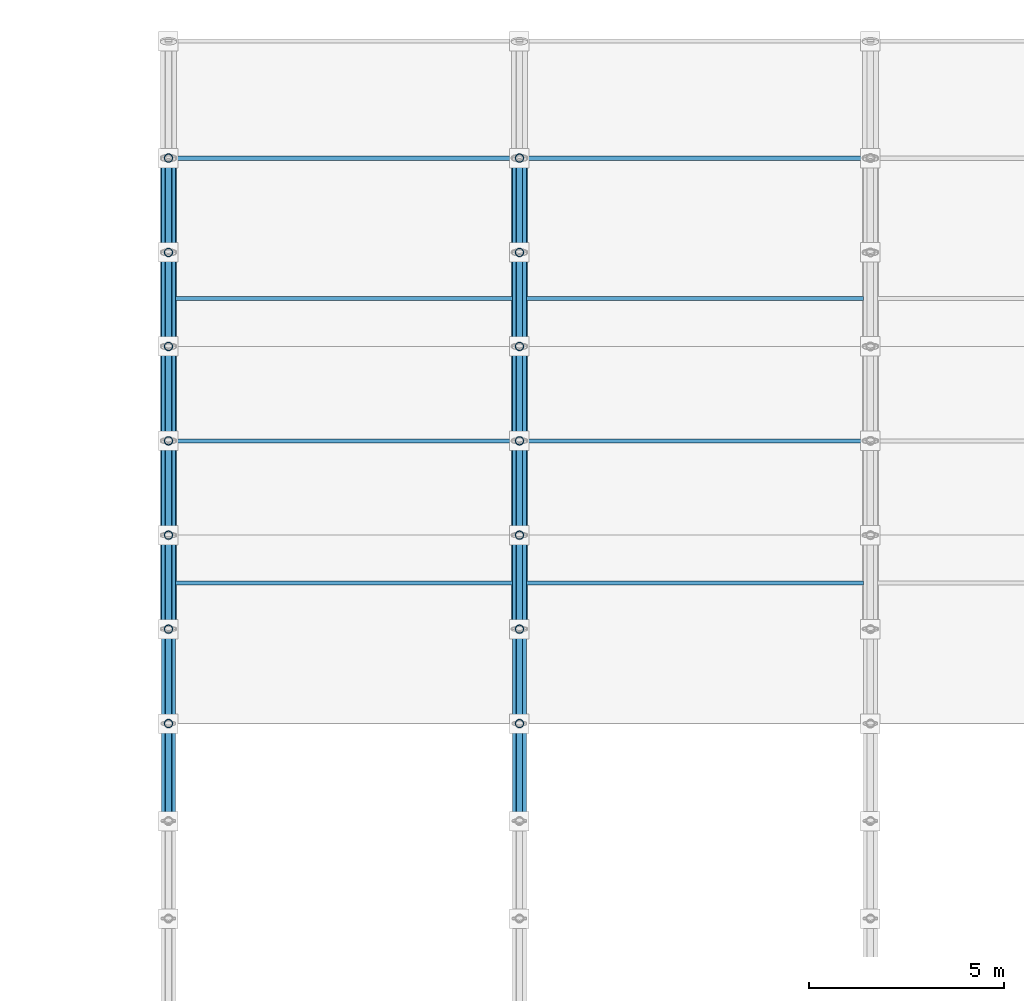
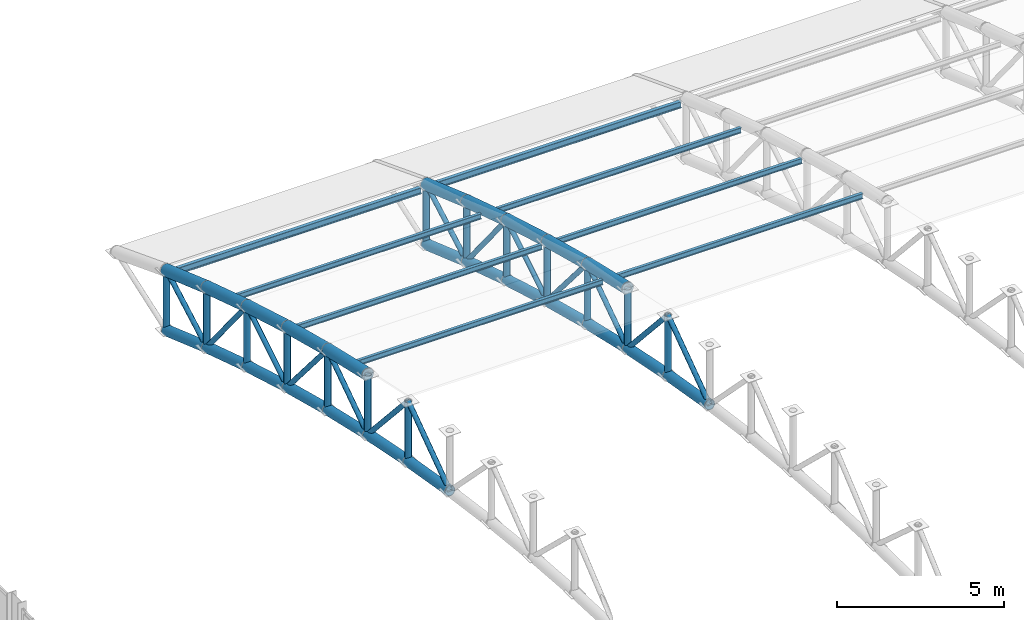
# One storey, part 80 of 195: 60 members.
"""IFC4 building model written with IfcOpenShell, lengths in metres."""

from ifc_helpers import new_model, si_unit, direction, frame, origin, origin_2d, place, context, subcontext, project, spatial, hollow_circle, i_section, extrude, material, material_profile, profile_set, type_object, element, save


model = new_model("IFC4")

# Units and contexts
model_context = context("Model", 3, precision=1e-05, world=origin(), true_north=direction((0.0, 1.0)))
body_context = subcontext(model_context, "Body", "Model", "MODEL_VIEW")
ifc_project = project(units=[si_unit("LENGTHUNIT", "METRE"), si_unit("AREAUNIT", "SQUARE_METRE"), si_unit("VOLUMEUNIT", "CUBIC_METRE"), si_unit("PLANEANGLEUNIT", "RADIAN"), si_unit("MASSUNIT", "GRAM", prefix="KILO")], contexts=[model_context])

# Site, building, storey
site_placement = place(None, origin())
site = spatial("IfcSite", under=ifc_project, at=site_placement, CompositionType="ELEMENT")
building_placement = place(site_placement, origin())
building = spatial("IfcBuilding", under=site, at=building_placement, Name="Marlcrest Central Station", CompositionType="ELEMENT")
storey_placement = place(building_placement, frame((0.0, 0.0, 9.800048828125)))
storey = spatial("IfcBuildingStorey", under=building, at=storey_placement, Name="L02", CompositionType="ELEMENT", Elevation=9.800048828125)

# Members
ifc_material = material(Name="Steel S355", Category="steel")
ifc_material_profile_1 = material_profile(ifc_material, hollow_circle(Radius=0.203125, WallThickness=0.02001953125, at=origin_2d()), Name="CHS 406.4x20")
ifc_profile_set_1 = profile_set([ifc_material_profile_1], Name="Steel S355")
member_type_1 = type_object("IfcMemberType", Name="AC-01", PredefinedType="CHORD", material=ifc_profile_set_1)
member_1_placement = place(storey_placement, frame((144.0, 83.419921875, 5.116943359375), z_axis=(0.0, 0.974329612642, -0.225126200004), x_axis=(-1.0, 0.0, 0.0)))
element("IfcMember", 1, at=member_1_placement, inside=storey, type_object=member_type_1, Name="mem-AC-01-L02-01168", PredefinedType="CHORD", context=body_context, shape_type="SweptSolid", body=[
    extrude(hollow_circle(Radius=0.203125, WallThickness=0.02001953125, at=origin_2d()), origin(), (0.0, 0.0, 1.0), 2.4736328125),
])
member_2_placement = place(storey_placement, frame((144.0, 85.830078125, 4.56005859375), z_axis=(0.0, 0.967539481681, -0.252719906989), x_axis=(-1.0, 0.0, 0.0)))
element("IfcMember", 2, at=member_2_placement, inside=storey, type_object=member_type_1, Name="mem-AC-01-L02-01172", PredefinedType="CHORD", context=body_context, shape_type="SweptSolid", body=[
    extrude(hollow_circle(Radius=0.203125, WallThickness=0.02001953125, at=origin_2d()), origin(), (0.0, 0.0, 1.0), 2.501220703125),
])
member_3_placement = place(storey_placement, frame((144.0, 88.25, 3.927978515625), z_axis=(0.0, 0.960130083362, -0.27955361386), x_axis=(-1.0, 0.0, 0.0)))
element("IfcMember", 3, at=member_3_placement, inside=storey, type_object=member_type_1, Name="mem-AC-01-L02-01176", PredefinedType="CHORD", context=body_context, shape_type="SweptSolid", body=[
    extrude(hollow_circle(Radius=0.203125, WallThickness=0.02001953125, at=origin_2d()), origin(), (0.0, 0.0, 1.0), 2.5205078125),
])
member_4_placement = place(storey_placement, frame((144.0, 90.669921875, 3.223388671875), z_axis=(0.0, 0.952116828449, -0.305734435391), x_axis=(-1.0, 0.0, 0.0)))
element("IfcMember", 4, at=member_4_placement, inside=storey, type_object=member_type_1, Name="mem-AC-01-L02-01180", PredefinedType="CHORD", context=body_context, shape_type="SweptSolid", body=[
    extrude(hollow_circle(Radius=0.203125, WallThickness=0.02001953125, at=origin_2d()), origin(), (0.0, 0.0, 1.0), 2.53125),
])
member_5_placement = place(storey_placement, frame((144.0, 93.080078125, 2.449462890625), z_axis=(0.0, 0.94353735649, -0.331266142109), x_axis=(-1.0, 0.0, 0.0)))
element("IfcMember", 5, at=member_5_placement, inside=storey, type_object=member_type_1, Name="mem-AC-01-L02-01184", PredefinedType="CHORD", context=body_context, shape_type="SweptSolid", body=[
    extrude(hollow_circle(Radius=0.203125, WallThickness=0.02001953125, at=origin_2d()), origin(), (0.0, 0.0, 1.0), 2.564697265625),
])
member_6_placement = place(storey_placement, frame((153.0, 83.419921875, 5.116943359375), z_axis=(0.0, 0.974329612642, -0.225126200004), x_axis=(-1.0, 0.0, 0.0)))
element("IfcMember", 6, at=member_6_placement, inside=storey, type_object=member_type_1, Name="mem-AC-01-L02-01284", PredefinedType="CHORD", context=body_context, shape_type="SweptSolid", body=[
    extrude(hollow_circle(Radius=0.203125, WallThickness=0.02001953125, at=origin_2d()), origin(), (0.0, 0.0, 1.0), 2.4736328125),
])
member_7_placement = place(storey_placement, frame((153.0, 85.830078125, 4.56005859375), z_axis=(0.0, 0.967539481681, -0.252719906989), x_axis=(-1.0, 0.0, 0.0)))
element("IfcMember", 7, at=member_7_placement, inside=storey, type_object=member_type_1, Name="mem-AC-01-L02-01288", PredefinedType="CHORD", context=body_context, shape_type="SweptSolid", body=[
    extrude(hollow_circle(Radius=0.203125, WallThickness=0.02001953125, at=origin_2d()), origin(), (0.0, 0.0, 1.0), 2.501220703125),
])
member_8_placement = place(storey_placement, frame((153.0, 88.25, 3.927978515625), z_axis=(0.0, 0.960130083362, -0.27955361386), x_axis=(-1.0, 0.0, 0.0)))
element("IfcMember", 8, at=member_8_placement, inside=storey, type_object=member_type_1, Name="mem-AC-01-L02-01292", PredefinedType="CHORD", context=body_context, shape_type="SweptSolid", body=[
    extrude(hollow_circle(Radius=0.203125, WallThickness=0.02001953125, at=origin_2d()), origin(), (0.0, 0.0, 1.0), 2.5205078125),
])
member_9_placement = place(storey_placement, frame((153.0, 90.669921875, 3.223388671875), z_axis=(0.0, 0.952116828449, -0.305734435391), x_axis=(-1.0, 0.0, 0.0)))
element("IfcMember", 9, at=member_9_placement, inside=storey, type_object=member_type_1, Name="mem-AC-01-L02-01296", PredefinedType="CHORD", context=body_context, shape_type="SweptSolid", body=[
    extrude(hollow_circle(Radius=0.203125, WallThickness=0.02001953125, at=origin_2d()), origin(), (0.0, 0.0, 1.0), 2.53125),
])
member_10_placement = place(storey_placement, frame((153.0, 93.080078125, 2.449462890625), z_axis=(0.0, 0.94353735649, -0.331266142109), x_axis=(-1.0, 0.0, 0.0)))
element("IfcMember", 10, at=member_10_placement, inside=storey, type_object=member_type_1, Name="mem-AC-01-L02-01300", PredefinedType="CHORD", context=body_context, shape_type="SweptSolid", body=[
    extrude(hollow_circle(Radius=0.203125, WallThickness=0.02001953125, at=origin_2d()), origin(), (0.0, 0.0, 1.0), 2.564697265625),
])
ifc_material_profile_2 = material_profile(ifc_material, hollow_circle(Radius=0.177734375, WallThickness=0.01611328125, at=origin_2d()), Name="CHS 355.6x16")
ifc_profile_set_2 = profile_set([ifc_material_profile_2], Name="Steel S355")
member_type_2 = type_object("IfcMemberType", Name="AC-02", PredefinedType="CHORD", material=ifc_profile_set_2)
member_11_placement = place(storey_placement, frame((144.0, 78.5, 3.83056640625), z_axis=(0.0, 0.98574109921, -0.168269086076), x_axis=(-1.0, 0.0, 0.0)))
element("IfcMember", 11, at=member_11_placement, inside=storey, type_object=member_type_2, Name="mem-AC-02-L02-01161", PredefinedType="CHORD", context=body_context, shape_type="SweptSolid", body=[
    extrude(hollow_circle(Radius=0.177734375, WallThickness=0.01611328125, at=origin_2d()), origin(), (0.0, 0.0, 1.0), 2.5361328125),
])
member_12_placement = place(storey_placement, frame((144.0, 81.0, 3.40380859375), z_axis=(0.0, 0.980359417961, -0.197219196874), x_axis=(-1.0, 0.0, 0.0)))
element("IfcMember", 12, at=member_12_placement, inside=storey, type_object=member_type_2, Name="mem-AC-02-L02-01165", PredefinedType="CHORD", context=body_context, shape_type="SweptSolid", body=[
    extrude(hollow_circle(Radius=0.177734375, WallThickness=0.01611328125, at=origin_2d()), origin(), (0.0, 0.0, 1.0), 2.468505859375),
])
member_13_placement = place(storey_placement, frame((144.0, 83.419921875, 2.9169921875), z_axis=(0.0, 0.974307959875, -0.225219891049), x_axis=(-1.0, 0.0, 0.0)))
element("IfcMember", 13, at=member_13_placement, inside=storey, type_object=member_type_2, Name="mem-AC-02-L02-01169", PredefinedType="CHORD", context=body_context, shape_type="SweptSolid", body=[
    extrude(hollow_circle(Radius=0.177734375, WallThickness=0.01611328125, at=origin_2d()), origin(), (0.0, 0.0, 1.0), 2.4736328125),
])
member_14_placement = place(storey_placement, frame((144.0, 85.830078125, 2.35986328125), z_axis=(0.0, 0.967563345928, -0.252628524946), x_axis=(-1.0, 0.0, 0.0)))
element("IfcMember", 14, at=member_14_placement, inside=storey, type_object=member_type_2, Name="mem-AC-02-L02-01173", PredefinedType="CHORD", context=body_context, shape_type="SweptSolid", body=[
    extrude(hollow_circle(Radius=0.177734375, WallThickness=0.01611328125, at=origin_2d()), origin(), (0.0, 0.0, 1.0), 2.5009765625),
])
member_15_placement = place(storey_placement, frame((144.0, 88.25, 1.72802734375), z_axis=(0.0, 0.960130083362, -0.27955361386), x_axis=(-1.0, 0.0, 0.0)))
element("IfcMember", 15, at=member_15_placement, inside=storey, type_object=member_type_2, Name="mem-AC-02-L02-01177", PredefinedType="CHORD", context=body_context, shape_type="SweptSolid", body=[
    extrude(hollow_circle(Radius=0.177734375, WallThickness=0.01611328125, at=origin_2d()), origin(), (0.0, 0.0, 1.0), 2.5205078125),
])
member_16_placement = place(storey_placement, frame((144.0, 90.669921875, 1.0234375), z_axis=(0.0, 0.952116828449, -0.305734435391), x_axis=(-1.0, 0.0, 0.0)))
element("IfcMember", 16, at=member_16_placement, inside=storey, type_object=member_type_2, Name="mem-AC-02-L02-01181", PredefinedType="CHORD", context=body_context, shape_type="SweptSolid", body=[
    extrude(hollow_circle(Radius=0.177734375, WallThickness=0.01611328125, at=origin_2d()), origin(), (0.0, 0.0, 1.0), 2.53125),
])
member_17_placement = place(storey_placement, frame((144.0, 93.080078125, 0.24951171875), z_axis=(0.0, 0.94353735649, -0.331266142109), x_axis=(-1.0, 0.0, 0.0)))
element("IfcMember", 17, at=member_17_placement, inside=storey, type_object=member_type_2, Name="mem-AC-02-L02-01185", PredefinedType="CHORD", context=body_context, shape_type="SweptSolid", body=[
    extrude(hollow_circle(Radius=0.177734375, WallThickness=0.01611328125, at=origin_2d()), origin(), (0.0, 0.0, 1.0), 2.564697265625),
])
member_18_placement = place(storey_placement, frame((153.0, 78.5, 3.83056640625), z_axis=(0.0, 0.98574109921, -0.168269086076), x_axis=(-1.0, 0.0, 0.0)))
element("IfcMember", 18, at=member_18_placement, inside=storey, type_object=member_type_2, Name="mem-AC-02-L02-01277", PredefinedType="CHORD", context=body_context, shape_type="SweptSolid", body=[
    extrude(hollow_circle(Radius=0.177734375, WallThickness=0.01611328125, at=origin_2d()), origin(), (0.0, 0.0, 1.0), 2.5361328125),
])
member_19_placement = place(storey_placement, frame((153.0, 81.0, 3.40380859375), z_axis=(0.0, 0.980359417961, -0.197219196874), x_axis=(-1.0, 0.0, 0.0)))
element("IfcMember", 19, at=member_19_placement, inside=storey, type_object=member_type_2, Name="mem-AC-02-L02-01281", PredefinedType="CHORD", context=body_context, shape_type="SweptSolid", body=[
    extrude(hollow_circle(Radius=0.177734375, WallThickness=0.01611328125, at=origin_2d()), origin(), (0.0, 0.0, 1.0), 2.468505859375),
])
member_20_placement = place(storey_placement, frame((153.0, 83.419921875, 2.9169921875), z_axis=(0.0, 0.974307959875, -0.225219891049), x_axis=(-1.0, 0.0, 0.0)))
element("IfcMember", 20, at=member_20_placement, inside=storey, type_object=member_type_2, Name="mem-AC-02-L02-01285", PredefinedType="CHORD", context=body_context, shape_type="SweptSolid", body=[
    extrude(hollow_circle(Radius=0.177734375, WallThickness=0.01611328125, at=origin_2d()), origin(), (0.0, 0.0, 1.0), 2.4736328125),
])
member_21_placement = place(storey_placement, frame((153.0, 85.830078125, 2.35986328125), z_axis=(0.0, 0.967563345928, -0.252628524946), x_axis=(-1.0, 0.0, 0.0)))
element("IfcMember", 21, at=member_21_placement, inside=storey, type_object=member_type_2, Name="mem-AC-02-L02-01289", PredefinedType="CHORD", context=body_context, shape_type="SweptSolid", body=[
    extrude(hollow_circle(Radius=0.177734375, WallThickness=0.01611328125, at=origin_2d()), origin(), (0.0, 0.0, 1.0), 2.5009765625),
])
member_22_placement = place(storey_placement, frame((153.0, 88.25, 1.72802734375), z_axis=(0.0, 0.960130083362, -0.27955361386), x_axis=(-1.0, 0.0, 0.0)))
element("IfcMember", 22, at=member_22_placement, inside=storey, type_object=member_type_2, Name="mem-AC-02-L02-01293", PredefinedType="CHORD", context=body_context, shape_type="SweptSolid", body=[
    extrude(hollow_circle(Radius=0.177734375, WallThickness=0.01611328125, at=origin_2d()), origin(), (0.0, 0.0, 1.0), 2.5205078125),
])
member_23_placement = place(storey_placement, frame((153.0, 90.669921875, 1.0234375), z_axis=(0.0, 0.952116828449, -0.305734435391), x_axis=(-1.0, 0.0, 0.0)))
element("IfcMember", 23, at=member_23_placement, inside=storey, type_object=member_type_2, Name="mem-AC-02-L02-01297", PredefinedType="CHORD", context=body_context, shape_type="SweptSolid", body=[
    extrude(hollow_circle(Radius=0.177734375, WallThickness=0.01611328125, at=origin_2d()), origin(), (0.0, 0.0, 1.0), 2.53125),
])
member_24_placement = place(storey_placement, frame((153.0, 93.080078125, 0.24951171875), z_axis=(0.0, 0.94353735649, -0.331266142109), x_axis=(-1.0, 0.0, 0.0)))
element("IfcMember", 24, at=member_24_placement, inside=storey, type_object=member_type_2, Name="mem-AC-02-L02-01301", PredefinedType="CHORD", context=body_context, shape_type="SweptSolid", body=[
    extrude(hollow_circle(Radius=0.177734375, WallThickness=0.01611328125, at=origin_2d()), origin(), (0.0, 0.0, 1.0), 2.564697265625),
])
ifc_material_profile_3 = material_profile(ifc_material, hollow_circle(Radius=0.084228515625, WallThickness=0.010009765625, at=origin_2d()), Name="CHS 168.3x10")
ifc_profile_set_3 = profile_set([ifc_material_profile_3], Name="Steel S355")
member_type_3 = type_object("IfcMemberType", Name="AD-01", PredefinedType="BRACE", material=ifc_profile_set_3)
member_25_placement = place(storey_placement, frame((144.0, 78.5, 3.83056640625), z_axis=(0.0, 0.815661132754, 0.57852996164), x_axis=(-1.0, 0.0, 0.0)))
element("IfcMember", 25, at=member_25_placement, inside=storey, type_object=member_type_3, Name="mem-AD-01-L02-01163", PredefinedType="BRACE", context=body_context, shape_type="SweptSolid", body=[
    extrude(hollow_circle(Radius=0.084228515625, WallThickness=0.010009765625, at=origin_2d()), origin(), (0.0, 0.0, 1.0), 3.06494140625),
])
member_26_placement = place(storey_placement, frame((144.0, 81.0, 5.603759765625), z_axis=(0.0, 0.669244457479, -0.743042297675), x_axis=(-1.0, 0.0, 0.0)))
element("IfcMember", 26, at=member_26_placement, inside=storey, type_object=member_type_3, Name="mem-AD-01-L02-01167", PredefinedType="BRACE", context=body_context, shape_type="SweptSolid", body=[
    extrude(hollow_circle(Radius=0.084228515625, WallThickness=0.010009765625, at=origin_2d()), origin(), (0.0, 0.0, 1.0), 3.615966796875),
])
member_27_placement = place(storey_placement, frame((144.0, 83.419921875, 2.9169921875), z_axis=(0.0, 0.82626275624, 0.563284881432), x_axis=(-1.0, 0.0, 0.0)))
element("IfcMember", 27, at=member_27_placement, inside=storey, type_object=member_type_3, Name="mem-AD-01-L02-01171", PredefinedType="BRACE", context=body_context, shape_type="SweptSolid", body=[
    extrude(hollow_circle(Radius=0.084228515625, WallThickness=0.010009765625, at=origin_2d()), origin(), (0.0, 0.0, 1.0), 2.9169921875),
])
member_28_placement = place(storey_placement, frame((144.0, 85.830078125, 4.56005859375), z_axis=(0.0, 0.649624779144, -0.760254987699), x_axis=(-1.0, 0.0, 0.0)))
element("IfcMember", 28, at=member_28_placement, inside=storey, type_object=member_type_3, Name="mem-AD-01-L02-01175", PredefinedType="BRACE", context=body_context, shape_type="SweptSolid", body=[
    extrude(hollow_circle(Radius=0.084228515625, WallThickness=0.010009765625, at=origin_2d()), origin(), (0.0, 0.0, 1.0), 3.72509765625),
])
member_29_placement = place(storey_placement, frame((144.0, 88.25, 1.72802734375), z_axis=(0.0, 0.850687380038, 0.525671933286), x_axis=(-1.0, 0.0, 0.0)))
element("IfcMember", 29, at=member_29_placement, inside=storey, type_object=member_type_3, Name="mem-AD-01-L02-01179", PredefinedType="BRACE", context=body_context, shape_type="SweptSolid", body=[
    extrude(hollow_circle(Radius=0.084228515625, WallThickness=0.010009765625, at=origin_2d()), origin(), (0.0, 0.0, 1.0), 2.8447265625),
])
member_30_placement = place(storey_placement, frame((144.0, 90.669921875, 3.223388671875), z_axis=(0.0, 0.62962929743, -0.776895712318), x_axis=(-1.0, 0.0, 0.0)))
element("IfcMember", 30, at=member_30_placement, inside=storey, type_object=member_type_3, Name="mem-AD-01-L02-01183", PredefinedType="BRACE", context=body_context, shape_type="SweptSolid", body=[
    extrude(hollow_circle(Radius=0.084228515625, WallThickness=0.010009765625, at=origin_2d()), origin(), (0.0, 0.0, 1.0), 3.827880859375),
])
member_31_placement = place(storey_placement, frame((144.0, 93.080078125, 0.24951171875), z_axis=(0.0, 0.873245653167, 0.487280236851), x_axis=(-1.0, 0.0, 0.0)))
element("IfcMember", 31, at=member_31_placement, inside=storey, type_object=member_type_3, Name="mem-AD-01-L02-01187", PredefinedType="BRACE", context=body_context, shape_type="SweptSolid", body=[
    extrude(hollow_circle(Radius=0.084228515625, WallThickness=0.010009765625, at=origin_2d()), origin(), (0.0, 0.0, 1.0), 2.771240234375),
])
member_32_placement = place(storey_placement, frame((153.0, 78.5, 3.83056640625), z_axis=(0.0, 0.815661132754, 0.57852996164), x_axis=(-1.0, 0.0, 0.0)))
element("IfcMember", 32, at=member_32_placement, inside=storey, type_object=member_type_3, Name="mem-AD-01-L02-01279", PredefinedType="BRACE", context=body_context, shape_type="SweptSolid", body=[
    extrude(hollow_circle(Radius=0.084228515625, WallThickness=0.010009765625, at=origin_2d()), origin(), (0.0, 0.0, 1.0), 3.06494140625),
])
member_33_placement = place(storey_placement, frame((153.0, 81.0, 5.603759765625), z_axis=(0.0, 0.669244457479, -0.743042297675), x_axis=(-1.0, 0.0, 0.0)))
element("IfcMember", 33, at=member_33_placement, inside=storey, type_object=member_type_3, Name="mem-AD-01-L02-01283", PredefinedType="BRACE", context=body_context, shape_type="SweptSolid", body=[
    extrude(hollow_circle(Radius=0.084228515625, WallThickness=0.010009765625, at=origin_2d()), origin(), (0.0, 0.0, 1.0), 3.615966796875),
])
member_34_placement = place(storey_placement, frame((153.0, 83.419921875, 2.9169921875), z_axis=(0.0, 0.82626275624, 0.563284881432), x_axis=(-1.0, 0.0, 0.0)))
element("IfcMember", 34, at=member_34_placement, inside=storey, type_object=member_type_3, Name="mem-AD-01-L02-01287", PredefinedType="BRACE", context=body_context, shape_type="SweptSolid", body=[
    extrude(hollow_circle(Radius=0.084228515625, WallThickness=0.010009765625, at=origin_2d()), origin(), (0.0, 0.0, 1.0), 2.9169921875),
])
member_35_placement = place(storey_placement, frame((153.0, 85.830078125, 4.56005859375), z_axis=(0.0, 0.649624779144, -0.760254987699), x_axis=(-1.0, 0.0, 0.0)))
element("IfcMember", 35, at=member_35_placement, inside=storey, type_object=member_type_3, Name="mem-AD-01-L02-01291", PredefinedType="BRACE", context=body_context, shape_type="SweptSolid", body=[
    extrude(hollow_circle(Radius=0.084228515625, WallThickness=0.010009765625, at=origin_2d()), origin(), (0.0, 0.0, 1.0), 3.72509765625),
])
member_36_placement = place(storey_placement, frame((153.0, 88.25, 1.72802734375), z_axis=(0.0, 0.850687380038, 0.525671933286), x_axis=(-1.0, 0.0, 0.0)))
element("IfcMember", 36, at=member_36_placement, inside=storey, type_object=member_type_3, Name="mem-AD-01-L02-01295", PredefinedType="BRACE", context=body_context, shape_type="SweptSolid", body=[
    extrude(hollow_circle(Radius=0.084228515625, WallThickness=0.010009765625, at=origin_2d()), origin(), (0.0, 0.0, 1.0), 2.8447265625),
])
member_37_placement = place(storey_placement, frame((153.0, 90.669921875, 3.223388671875), z_axis=(0.0, 0.62962929743, -0.776895712318), x_axis=(-1.0, 0.0, 0.0)))
element("IfcMember", 37, at=member_37_placement, inside=storey, type_object=member_type_3, Name="mem-AD-01-L02-01299", PredefinedType="BRACE", context=body_context, shape_type="SweptSolid", body=[
    extrude(hollow_circle(Radius=0.084228515625, WallThickness=0.010009765625, at=origin_2d()), origin(), (0.0, 0.0, 1.0), 3.827880859375),
])
member_38_placement = place(storey_placement, frame((153.0, 93.080078125, 0.24951171875), z_axis=(0.0, 0.873245653167, 0.487280236851), x_axis=(-1.0, 0.0, 0.0)))
element("IfcMember", 38, at=member_38_placement, inside=storey, type_object=member_type_3, Name="mem-AD-01-L02-01303", PredefinedType="BRACE", context=body_context, shape_type="SweptSolid", body=[
    extrude(hollow_circle(Radius=0.084228515625, WallThickness=0.010009765625, at=origin_2d()), origin(), (0.0, 0.0, 1.0), 2.771240234375),
])
ifc_material_profile_4 = material_profile(ifc_material, hollow_circle(Radius=0.109619140625, WallThickness=0.012451171875, at=origin_2d()), Name="CHS 219.1x12.5")
ifc_profile_set_4 = profile_set([ifc_material_profile_4], Name="Steel S355")
member_type_4 = type_object("IfcMemberType", Name="AP-01", PredefinedType="POST", material=ifc_profile_set_4)
for number, where, z_axis, x_axis, name in (
    (39, (144.0, 81.0, 3.40380859375), (0.0, 0.0, 1.0), (1.0, 0.0, 0.0), "mem-AP-01-L02-01166"),
    (40, (144.0, 83.419921875, 2.9169921875), (0.0, 0.0, 1.0), (1.0, 0.0, 0.0), "mem-AP-01-L02-01170"),
):
    element("IfcMember", number, at=place(storey_placement, frame(where, z_axis=z_axis, x_axis=x_axis)), inside=storey, type_object=member_type_4, Name=name, PredefinedType="POST", context=body_context, shape_type="SweptSolid", body=[
        extrude(hollow_circle(Radius=0.109619140625, WallThickness=0.012451171875, at=origin_2d()), origin(), (0.0, 0.0, 1.0), 2.199951171875),
    ])
member_39_placement = place(storey_placement, frame((144.0, 85.830078125, 2.35986328125), z_axis=(0.0, 0.0, 1.0), x_axis=(1.0, 0.0, 0.0)))
element("IfcMember", 41, at=member_39_placement, inside=storey, type_object=member_type_4, Name="mem-AP-01-L02-01174", PredefinedType="POST", context=body_context, shape_type="SweptSolid", body=[
    extrude(hollow_circle(Radius=0.109619140625, WallThickness=0.012451171875, at=origin_2d()), origin(), (0.0, 0.0, 1.0), 2.2001953125),
])
for number, where, z_axis, x_axis, name in (
    (42, (144.0, 88.25, 1.72802734375), (0.0, 0.0, 1.0), (1.0, 0.0, 0.0), "mem-AP-01-L02-01178"),
    (43, (144.0, 90.669921875, 1.0234375), (0.0, 0.0, 1.0), (1.0, 0.0, 0.0), "mem-AP-01-L02-01182"),
    (44, (144.0, 93.080078125, 0.24951171875), (0.0, 0.0, 1.0), (1.0, 0.0, 0.0), "mem-AP-01-L02-01186"),
    (45, (144.0, 95.5, -0.60009765625), (0.0, 0.0, 1.0), (1.0, 0.0, 0.0), "mem-AP-01-L02-01189"),
    (46, (153.0, 81.0, 3.40380859375), (0.0, 0.0, 1.0), (1.0, 0.0, 0.0), "mem-AP-01-L02-01282"),
    (47, (153.0, 83.419921875, 2.9169921875), (0.0, 0.0, 1.0), (1.0, 0.0, 0.0), "mem-AP-01-L02-01286"),
):
    element("IfcMember", number, at=place(storey_placement, frame(where, z_axis=z_axis, x_axis=x_axis)), inside=storey, type_object=member_type_4, Name=name, PredefinedType="POST", context=body_context, shape_type="SweptSolid", body=[
        extrude(hollow_circle(Radius=0.109619140625, WallThickness=0.012451171875, at=origin_2d()), origin(), (0.0, 0.0, 1.0), 2.199951171875),
    ])
member_40_placement = place(storey_placement, frame((153.0, 85.830078125, 2.35986328125), z_axis=(0.0, 0.0, 1.0), x_axis=(1.0, 0.0, 0.0)))
element("IfcMember", 48, at=member_40_placement, inside=storey, type_object=member_type_4, Name="mem-AP-01-L02-01290", PredefinedType="POST", context=body_context, shape_type="SweptSolid", body=[
    extrude(hollow_circle(Radius=0.109619140625, WallThickness=0.012451171875, at=origin_2d()), origin(), (0.0, 0.0, 1.0), 2.2001953125),
])
for number, where, z_axis, x_axis, name in (
    (49, (153.0, 88.25, 1.72802734375), (0.0, 0.0, 1.0), (1.0, 0.0, 0.0), "mem-AP-01-L02-01294"),
    (50, (153.0, 90.669921875, 1.0234375), (0.0, 0.0, 1.0), (1.0, 0.0, 0.0), "mem-AP-01-L02-01298"),
    (51, (153.0, 93.080078125, 0.24951171875), (0.0, 0.0, 1.0), (1.0, 0.0, 0.0), "mem-AP-01-L02-01302"),
    (52, (153.0, 95.5, -0.60009765625), (0.0, 0.0, 1.0), (1.0, 0.0, 0.0), "mem-AP-01-L02-01305"),
):
    element("IfcMember", number, at=place(storey_placement, frame(where, z_axis=z_axis, x_axis=x_axis)), inside=storey, type_object=member_type_4, Name=name, PredefinedType="POST", context=body_context, shape_type="SweptSolid", body=[
        extrude(hollow_circle(Radius=0.109619140625, WallThickness=0.012451171875, at=origin_2d()), origin(), (0.0, 0.0, 1.0), 2.199951171875),
    ])
ifc_material_profile_5 = material_profile(ifc_material, i_section(OverallWidth=0.10009765625, OverallDepth=0.199951171875, WebThickness=0.005615234375, FlangeThickness=0.008544921875, FilletRadius=0.011962890625, at=origin_2d()), Name="IPE 200")
ifc_profile_set_5 = profile_set([ifc_material_profile_5], Name="Steel S355")
member_type_5 = type_object("IfcMemberType", Name="PR-01", PredefinedType="PURLIN", material=ifc_profile_set_5)
for number, where, z_axis, x_axis, name in (
    (53, (144.179931640625, 84.60009765625, 4.713134765625), (1.0, 0.0, 0.0), (0.0, 1.0, 0.0), "mem-PR-01-L02-01201"),
    (54, (144.179931640625, 88.25, 3.7880859375), (1.0, 0.0, 0.0), (0.0, 1.0, 0.0), "mem-PR-01-L02-01202"),
    (55, (144.179931640625, 91.89990234375, 2.697509765625), (1.0, 0.0, 0.0), (0.0, 1.0, 0.0), "mem-PR-01-L02-01203"),
    (56, (153.179931640625, 84.60009765625, 4.713134765625), (1.0, 0.0, 0.0), (0.0, 1.0, 0.0), "mem-PR-01-L02-01317"),
    (57, (153.179931640625, 88.25, 3.7880859375), (1.0, 0.0, 0.0), (0.0, 1.0, 0.0), "mem-PR-01-L02-01318"),
    (58, (153.179931640625, 91.89990234375, 2.697509765625), (1.0, 0.0, 0.0), (0.0, 1.0, 0.0), "mem-PR-01-L02-01319"),
):
    element("IfcMember", number, at=place(storey_placement, frame(where, z_axis=z_axis, x_axis=x_axis)), inside=storey, type_object=member_type_5, Name=name, PredefinedType="PURLIN", context=body_context, shape_type="SweptSolid", body=[
        extrude(i_section(OverallWidth=0.10009765625, OverallDepth=0.199951171875, WebThickness=0.005615234375, FlangeThickness=0.008544921875, FilletRadius=0.011962890625, at=origin_2d()), origin(), (0.0, 0.0, 1.0), 8.64013671875),
    ])
ifc_material_profile_6 = material_profile(ifc_material, i_section(OverallWidth=0.1201171875, OverallDepth=0.239990234375, WebThickness=0.006103515625, FlangeThickness=0.009765625, FilletRadius=0.014892578125, at=origin_2d()), Name="IPE 240")
ifc_profile_set_6 = profile_set([ifc_material_profile_6], Name="Steel S355")
member_type_6 = type_object("IfcMemberType", Name="PR-02", PredefinedType="PURLIN", material=ifc_profile_set_6)
for number, where, z_axis, x_axis, name in (
    (59, (144.179931640625, 95.5, 1.4599609375), (1.0, 0.0, 0.0), (0.0, 1.0, 0.0), "mem-PR-02-L02-01204"),
    (60, (153.179931640625, 95.5, 1.4599609375), (1.0, 0.0, 0.0), (0.0, 1.0, 0.0), "mem-PR-02-L02-01320"),
):
    element("IfcMember", number, at=place(storey_placement, frame(where, z_axis=z_axis, x_axis=x_axis)), inside=storey, type_object=member_type_6, Name=name, PredefinedType="PURLIN", context=body_context, shape_type="SweptSolid", body=[
        extrude(i_section(OverallWidth=0.1201171875, OverallDepth=0.239990234375, WebThickness=0.006103515625, FlangeThickness=0.009765625, FilletRadius=0.014892578125, at=origin_2d()), origin(), (0.0, 0.0, 1.0), 8.64013671875),
    ])

save(model, "model.ifc")
